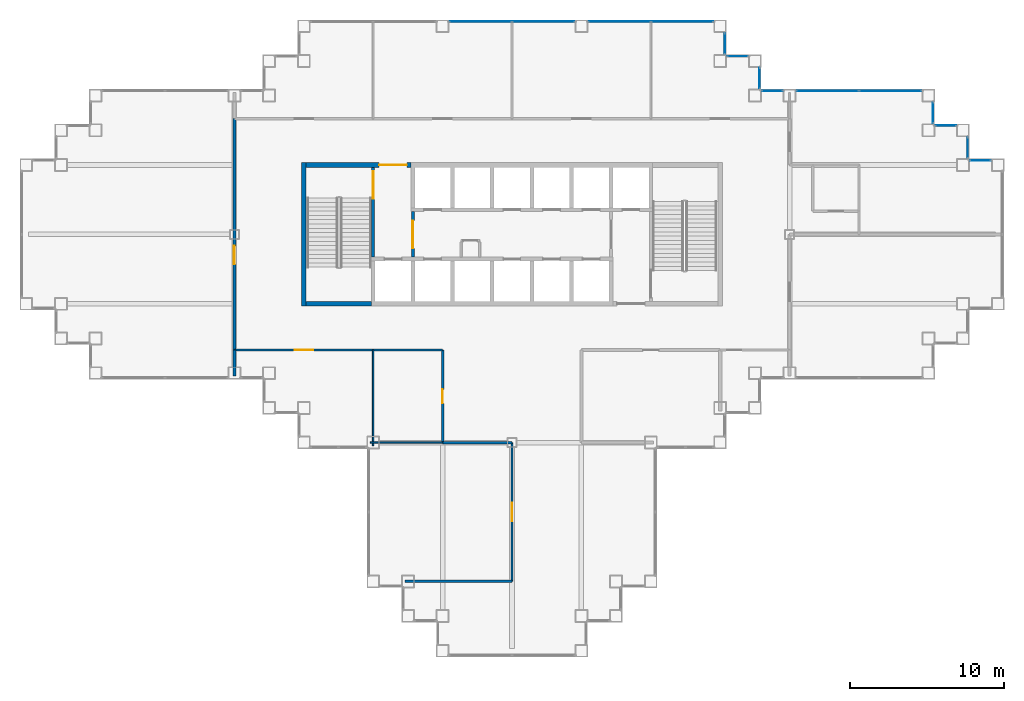
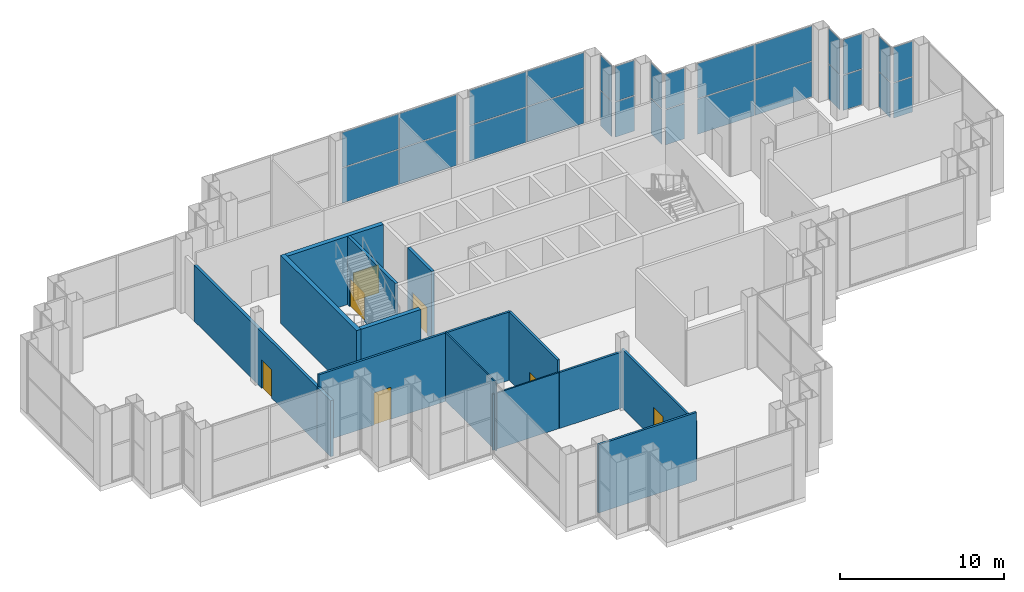
# One storey, part 11 of 18: 28 plates, 15 walls, 7 doors, 7 openings, 11 elements without a shape of their own.
"""IFC4 building model written with IfcOpenShell, lengths in metres."""

from ifc_helpers import new_model, si_unit, direction, frame, frame_2d, origin, origin_2d, place, context, subcontext, project, spatial, rectangle, extrude, material, layer, layer_set, type_object, element, fill, aggregate, save


model = new_model("IFC4")

# Units and contexts
model_context = context("Model", 3, precision=1e-05, world=origin(), true_north=direction((0.0, 1.0)))
body_context = subcontext(model_context, "Body", "Model", "MODEL_VIEW")
ifc_project = project(units=[si_unit("LENGTHUNIT", "METRE"), si_unit("AREAUNIT", "SQUARE_METRE"), si_unit("VOLUMEUNIT", "CUBIC_METRE"), si_unit("PLANEANGLEUNIT", "RADIAN"), si_unit("MASSUNIT", "GRAM", prefix="KILO")], contexts=[model_context])

# Site, building, storey
site_placement = place(None, origin())
site = spatial("IfcSite", under=ifc_project, at=site_placement, CompositionType="ELEMENT")
building_placement = place(site_placement, origin())
building = spatial("IfcBuilding", under=site, at=building_placement, Name="Caravel Reach Hotel and Residences", CompositionType="ELEMENT")
storey_placement = place(building_placement, frame((0.0, 0.0, 145.199951171875)))
storey = spatial("IfcBuildingStorey", under=building, at=storey_placement, Name="L36", CompositionType="ELEMENT", Elevation=145.199951171875)

# Curtain wall, plates
ifc_material_1 = material(Name="Dark low-e glazing in black aluminium frame", Category="aluminium")
ifc_layer_1 = layer(ifc_material_1, 0.199951171875)
ifc_layer_set_1 = layer_set([ifc_layer_1], Name="CW2 Sky lobby glazing")
curtain_wall_type = type_object("IfcCurtainWallType", Name="CW2 Sky lobby glazing", PredefinedType="NOTDEFINED", material=ifc_layer_set_1)
curtain_wall_1_placement = place(storey_placement, origin())
curtain_wall_1 = element("IfcCurtainWall", 1, at=curtain_wall_1_placement, inside=storey, type_object=curtain_wall_type, Name="Sky lobby glazing b0", PredefinedType="NOTDEFINED")
ifc_material_2 = material(Name="Dark laminated low-e glass", Category="glass")
ifc_layer_2 = layer(ifc_material_2, 0.028076171875)
ifc_layer_set_2 = layer_set([ifc_layer_2], Name="CW glass panel 28")
plate_type = type_object("IfcPlateType", Name="CW glass panel 28", PredefinedType="CURTAIN_PANEL", material=ifc_layer_set_2)
plate_1_placement = place(storey_placement, frame((61.875, 31.800048828125, 0.06005859375), z_axis=(0.0, 0.0, 1.0), x_axis=(-1.0, 0.0, 0.0)))
plate_1 = element("IfcPlate", 2, at=plate_1_placement, type_object=plate_type, Name="CW2 panel 1.1", PredefinedType="CURTAIN_PANEL", context=body_context, shape_type="SweptSolid", body=[
    extrude(rectangle(XDim=1.330078125, YDim=0.028076171875, at=origin_2d()), origin(), (0.0, 0.0, 1.0), 2.610107421875),
])
plate_2_placement = place(storey_placement, frame((61.875, 31.800048828125, 2.72998046875), z_axis=(0.0, 0.0, 1.0), x_axis=(-1.0, 0.0, 0.0)))
plate_2 = element("IfcPlate", 3, at=plate_2_placement, type_object=plate_type, Name="CW2 panel 1.2", PredefinedType="CURTAIN_PANEL", context=body_context, shape_type="SweptSolid", body=[
    extrude(rectangle(XDim=1.330078125, YDim=0.028076171875, at=origin_2d()), origin(), (0.0, 0.0, 1.0), 2.610107421875),
])
aggregate(curtain_wall_1, [plate_1, plate_2])

curtain_wall_2_placement = place(storey_placement, origin())
curtain_wall_2 = element("IfcCurtainWall", 4, at=curtain_wall_2_placement, inside=storey, type_object=curtain_wall_type, Name="Sky lobby glazing b0", PredefinedType="NOTDEFINED")
plate_3_placement = place(storey_placement, frame((61.050048828125, 32.625, 0.06005859375), z_axis=(0.0, 0.0, 1.0), x_axis=(0.0, 1.0, 0.0)))
plate_3 = element("IfcPlate", 5, at=plate_3_placement, type_object=plate_type, Name="CW2 panel 1.1", PredefinedType="CURTAIN_PANEL", context=body_context, shape_type="SweptSolid", body=[
    extrude(rectangle(XDim=1.330078125, YDim=0.028076171875, at=origin_2d()), origin(), (0.0, 0.0, 1.0), 2.610107421875),
])
plate_4_placement = place(storey_placement, frame((61.050048828125, 32.625, 2.72998046875), z_axis=(0.0, 0.0, 1.0), x_axis=(0.0, 1.0, 0.0)))
plate_4 = element("IfcPlate", 6, at=plate_4_placement, type_object=plate_type, Name="CW2 panel 1.2", PredefinedType="CURTAIN_PANEL", context=body_context, shape_type="SweptSolid", body=[
    extrude(rectangle(XDim=1.330078125, YDim=0.028076171875, at=origin_2d()), origin(), (0.0, 0.0, 1.0), 2.610107421875),
])
aggregate(curtain_wall_2, [plate_3, plate_4])

curtain_wall_3_placement = place(storey_placement, origin())
curtain_wall_3 = element("IfcCurtainWall", 7, at=curtain_wall_3_placement, inside=storey, type_object=curtain_wall_type, Name="Sky lobby glazing b0", PredefinedType="NOTDEFINED")
plate_5_placement = place(storey_placement, frame((59.625, 34.050048828125, 0.06005859375), z_axis=(0.0, 0.0, 1.0), x_axis=(-1.0, 0.0, 0.0)))
plate_5 = element("IfcPlate", 8, at=plate_5_placement, type_object=plate_type, Name="CW2 panel 1.1", PredefinedType="CURTAIN_PANEL", context=body_context, shape_type="SweptSolid", body=[
    extrude(rectangle(XDim=1.330078125, YDim=0.028076171875, at=origin_2d()), origin(), (0.0, 0.0, 1.0), 2.610107421875),
])
plate_6_placement = place(storey_placement, frame((59.625, 34.050048828125, 2.72998046875), z_axis=(0.0, 0.0, 1.0), x_axis=(-1.0, 0.0, 0.0)))
plate_6 = element("IfcPlate", 9, at=plate_6_placement, type_object=plate_type, Name="CW2 panel 1.2", PredefinedType="CURTAIN_PANEL", context=body_context, shape_type="SweptSolid", body=[
    extrude(rectangle(XDim=1.330078125, YDim=0.028076171875, at=origin_2d()), origin(), (0.0, 0.0, 1.0), 2.610107421875),
])
aggregate(curtain_wall_3, [plate_5, plate_6])

curtain_wall_4_placement = place(storey_placement, origin())
curtain_wall_4 = element("IfcCurtainWall", 10, at=curtain_wall_4_placement, inside=storey, type_object=curtain_wall_type, Name="Sky lobby glazing b0", PredefinedType="NOTDEFINED")
plate_7_placement = place(storey_placement, frame((58.800048828125, 34.875, 0.06005859375), z_axis=(0.0, 0.0, 1.0), x_axis=(0.0, 1.0, 0.0)))
plate_7 = element("IfcPlate", 11, at=plate_7_placement, type_object=plate_type, Name="CW2 panel 1.1", PredefinedType="CURTAIN_PANEL", context=body_context, shape_type="SweptSolid", body=[
    extrude(rectangle(XDim=1.330078125, YDim=0.028076171875, at=origin_2d()), origin(), (0.0, 0.0, 1.0), 2.610107421875),
])
plate_8_placement = place(storey_placement, frame((58.800048828125, 34.875, 2.72998046875), z_axis=(0.0, 0.0, 1.0), x_axis=(0.0, 1.0, 0.0)))
plate_8 = element("IfcPlate", 12, at=plate_8_placement, type_object=plate_type, Name="CW2 panel 1.2", PredefinedType="CURTAIN_PANEL", context=body_context, shape_type="SweptSolid", body=[
    extrude(rectangle(XDim=1.330078125, YDim=0.028076171875, at=origin_2d()), origin(), (0.0, 0.0, 1.0), 2.610107421875),
])
aggregate(curtain_wall_4, [plate_7, plate_8])

curtain_wall_5_placement = place(storey_placement, origin())
curtain_wall_5 = element("IfcCurtainWall", 13, at=curtain_wall_5_placement, inside=storey, type_object=curtain_wall_type, Name="Sky lobby glazing b0", PredefinedType="NOTDEFINED")
plate_9_placement = place(storey_placement, frame((56.034912109375, 36.300048828125, 0.06005859375), z_axis=(0.0, 0.0, 1.0), x_axis=(-1.0, 0.0, 0.0)))
plate_9 = element("IfcPlate", 14, at=plate_9_placement, type_object=plate_type, Name="CW2 panel 1.1", PredefinedType="CURTAIN_PANEL", context=body_context, shape_type="SweptSolid", body=[
    extrude(rectangle(XDim=4.010009765625, YDim=0.028076171875, at=origin_2d()), origin(), (0.0, 0.0, 1.0), 2.610107421875),
])
plate_10_placement = place(storey_placement, frame((56.034912109375, 36.300048828125, 2.72998046875), z_axis=(0.0, 0.0, 1.0), x_axis=(-1.0, 0.0, 0.0)))
plate_10 = element("IfcPlate", 15, at=plate_10_placement, type_object=plate_type, Name="CW2 panel 1.2", PredefinedType="CURTAIN_PANEL", context=body_context, shape_type="SweptSolid", body=[
    extrude(rectangle(XDim=4.010009765625, YDim=0.028076171875, at=origin_2d()), origin(), (0.0, 0.0, 1.0), 2.610107421875),
])
plate_11_placement = place(storey_placement, frame((51.965087890625, 36.300048828125, 0.06005859375), z_axis=(0.0, 0.0, 1.0), x_axis=(-1.0, 0.0, 0.0)))
plate_11 = element("IfcPlate", 16, at=plate_11_placement, type_object=plate_type, Name="CW2 panel 2.1", PredefinedType="CURTAIN_PANEL", context=body_context, shape_type="SweptSolid", body=[
    extrude(rectangle(XDim=4.010009765625, YDim=0.028076171875, at=origin_2d()), origin(), (0.0, 0.0, 1.0), 2.610107421875),
])
plate_12_placement = place(storey_placement, frame((51.965087890625, 36.300048828125, 2.72998046875), z_axis=(0.0, 0.0, 1.0), x_axis=(-1.0, 0.0, 0.0)))
plate_12 = element("IfcPlate", 17, at=plate_12_placement, type_object=plate_type, Name="CW2 panel 2.2", PredefinedType="CURTAIN_PANEL", context=body_context, shape_type="SweptSolid", body=[
    extrude(rectangle(XDim=4.010009765625, YDim=0.028076171875, at=origin_2d()), origin(), (0.0, 0.0, 1.0), 2.610107421875),
])
aggregate(curtain_wall_5, [plate_9, plate_10, plate_11, plate_12])

curtain_wall_6_placement = place(storey_placement, origin())
curtain_wall_6 = element("IfcCurtainWall", 18, at=curtain_wall_6_placement, inside=storey, type_object=curtain_wall_type, Name="Sky lobby glazing b1", PredefinedType="NOTDEFINED")
plate_13_placement = place(storey_placement, frame((48.375, 36.300048828125, 0.06005859375), z_axis=(0.0, 0.0, 1.0), x_axis=(-1.0, 0.0, 0.0)))
plate_13 = element("IfcPlate", 19, at=plate_13_placement, type_object=plate_type, Name="CW2 panel 1.1", PredefinedType="CURTAIN_PANEL", context=body_context, shape_type="SweptSolid", body=[
    extrude(rectangle(XDim=1.330078125, YDim=0.028076171875, at=origin_2d()), origin(), (0.0, 0.0, 1.0), 2.610107421875),
])
plate_14_placement = place(storey_placement, frame((48.375, 36.300048828125, 2.72998046875), z_axis=(0.0, 0.0, 1.0), x_axis=(-1.0, 0.0, 0.0)))
plate_14 = element("IfcPlate", 20, at=plate_14_placement, type_object=plate_type, Name="CW2 panel 1.2", PredefinedType="CURTAIN_PANEL", context=body_context, shape_type="SweptSolid", body=[
    extrude(rectangle(XDim=1.330078125, YDim=0.028076171875, at=origin_2d()), origin(), (0.0, 0.0, 1.0), 2.610107421875),
])
aggregate(curtain_wall_6, [plate_13, plate_14])

curtain_wall_7_placement = place(storey_placement, origin())
curtain_wall_7 = element("IfcCurtainWall", 21, at=curtain_wall_7_placement, inside=storey, type_object=curtain_wall_type, Name="Sky lobby glazing b0", PredefinedType="NOTDEFINED")
plate_15_placement = place(storey_placement, frame((47.550048828125, 37.125, 0.06005859375), z_axis=(0.0, 0.0, 1.0), x_axis=(0.0, 1.0, 0.0)))
plate_15 = element("IfcPlate", 22, at=plate_15_placement, type_object=plate_type, Name="CW2 panel 1.1", PredefinedType="CURTAIN_PANEL", context=body_context, shape_type="SweptSolid", body=[
    extrude(rectangle(XDim=1.330078125, YDim=0.028076171875, at=origin_2d()), origin(), (0.0, 0.0, 1.0), 2.610107421875),
])
plate_16_placement = place(storey_placement, frame((47.550048828125, 37.125, 2.72998046875), z_axis=(0.0, 0.0, 1.0), x_axis=(0.0, 1.0, 0.0)))
plate_16 = element("IfcPlate", 23, at=plate_16_placement, type_object=plate_type, Name="CW2 panel 1.2", PredefinedType="CURTAIN_PANEL", context=body_context, shape_type="SweptSolid", body=[
    extrude(rectangle(XDim=1.330078125, YDim=0.028076171875, at=origin_2d()), origin(), (0.0, 0.0, 1.0), 2.610107421875),
])
aggregate(curtain_wall_7, [plate_15, plate_16])

curtain_wall_8_placement = place(storey_placement, origin())
curtain_wall_8 = element("IfcCurtainWall", 24, at=curtain_wall_8_placement, inside=storey, type_object=curtain_wall_type, Name="Sky lobby glazing b0", PredefinedType="NOTDEFINED")
plate_17_placement = place(storey_placement, frame((46.125, 38.550048828125, 0.06005859375), z_axis=(0.0, 0.0, 1.0), x_axis=(-1.0, 0.0, 0.0)))
plate_17 = element("IfcPlate", 25, at=plate_17_placement, type_object=plate_type, Name="CW2 panel 1.1", PredefinedType="CURTAIN_PANEL", context=body_context, shape_type="SweptSolid", body=[
    extrude(rectangle(XDim=1.330078125, YDim=0.028076171875, at=origin_2d()), origin(), (0.0, 0.0, 1.0), 2.610107421875),
])
plate_18_placement = place(storey_placement, frame((46.125, 38.550048828125, 2.72998046875), z_axis=(0.0, 0.0, 1.0), x_axis=(-1.0, 0.0, 0.0)))
plate_18 = element("IfcPlate", 26, at=plate_18_placement, type_object=plate_type, Name="CW2 panel 1.2", PredefinedType="CURTAIN_PANEL", context=body_context, shape_type="SweptSolid", body=[
    extrude(rectangle(XDim=1.330078125, YDim=0.028076171875, at=origin_2d()), origin(), (0.0, 0.0, 1.0), 2.610107421875),
])
aggregate(curtain_wall_8, [plate_17, plate_18])

curtain_wall_9_placement = place(storey_placement, origin())
curtain_wall_9 = element("IfcCurtainWall", 27, at=curtain_wall_9_placement, inside=storey, type_object=curtain_wall_type, Name="Sky lobby glazing b0", PredefinedType="NOTDEFINED")
plate_19_placement = place(storey_placement, frame((45.300048828125, 39.375, 0.06005859375), z_axis=(0.0, 0.0, 1.0), x_axis=(0.0, 1.0, 0.0)))
plate_19 = element("IfcPlate", 28, at=plate_19_placement, type_object=plate_type, Name="CW2 panel 1.1", PredefinedType="CURTAIN_PANEL", context=body_context, shape_type="SweptSolid", body=[
    extrude(rectangle(XDim=1.330078125, YDim=0.028076171875, at=origin_2d()), origin(), (0.0, 0.0, 1.0), 2.610107421875),
])
plate_20_placement = place(storey_placement, frame((45.300048828125, 39.375, 2.72998046875), z_axis=(0.0, 0.0, 1.0), x_axis=(0.0, 1.0, 0.0)))
plate_20 = element("IfcPlate", 29, at=plate_20_placement, type_object=plate_type, Name="CW2 panel 1.2", PredefinedType="CURTAIN_PANEL", context=body_context, shape_type="SweptSolid", body=[
    extrude(rectangle(XDim=1.330078125, YDim=0.028076171875, at=origin_2d()), origin(), (0.0, 0.0, 1.0), 2.610107421875),
])
aggregate(curtain_wall_9, [plate_19, plate_20])

curtain_wall_10_placement = place(storey_placement, origin())
curtain_wall_10 = element("IfcCurtainWall", 30, at=curtain_wall_10_placement, inside=storey, type_object=curtain_wall_type, Name="Sky lobby glazing b0", PredefinedType="NOTDEFINED")
plate_21_placement = place(storey_placement, frame((42.534912109375, 40.800048828125, 0.06005859375), z_axis=(0.0, 0.0, 1.0), x_axis=(-1.0, 0.0, 0.0)))
plate_21 = element("IfcPlate", 31, at=plate_21_placement, type_object=plate_type, Name="CW2 panel 1.1", PredefinedType="CURTAIN_PANEL", context=body_context, shape_type="SweptSolid", body=[
    extrude(rectangle(XDim=4.010009765625, YDim=0.028076171875, at=origin_2d()), origin(), (0.0, 0.0, 1.0), 2.610107421875),
])
plate_22_placement = place(storey_placement, frame((42.534912109375, 40.800048828125, 2.72998046875), z_axis=(0.0, 0.0, 1.0), x_axis=(-1.0, 0.0, 0.0)))
plate_22 = element("IfcPlate", 32, at=plate_22_placement, type_object=plate_type, Name="CW2 panel 1.2", PredefinedType="CURTAIN_PANEL", context=body_context, shape_type="SweptSolid", body=[
    extrude(rectangle(XDim=4.010009765625, YDim=0.028076171875, at=origin_2d()), origin(), (0.0, 0.0, 1.0), 2.610107421875),
])
plate_23_placement = place(storey_placement, frame((38.465087890625, 40.800048828125, 0.06005859375), z_axis=(0.0, 0.0, 1.0), x_axis=(-1.0, 0.0, 0.0)))
plate_23 = element("IfcPlate", 33, at=plate_23_placement, type_object=plate_type, Name="CW2 panel 2.1", PredefinedType="CURTAIN_PANEL", context=body_context, shape_type="SweptSolid", body=[
    extrude(rectangle(XDim=4.010009765625, YDim=0.028076171875, at=origin_2d()), origin(), (0.0, 0.0, 1.0), 2.610107421875),
])
plate_24_placement = place(storey_placement, frame((38.465087890625, 40.800048828125, 2.72998046875), z_axis=(0.0, 0.0, 1.0), x_axis=(-1.0, 0.0, 0.0)))
plate_24 = element("IfcPlate", 34, at=plate_24_placement, type_object=plate_type, Name="CW2 panel 2.2", PredefinedType="CURTAIN_PANEL", context=body_context, shape_type="SweptSolid", body=[
    extrude(rectangle(XDim=4.010009765625, YDim=0.028076171875, at=origin_2d()), origin(), (0.0, 0.0, 1.0), 2.610107421875),
])
aggregate(curtain_wall_10, [plate_21, plate_22, plate_23, plate_24])

curtain_wall_11_placement = place(storey_placement, origin())
curtain_wall_11 = element("IfcCurtainWall", 35, at=curtain_wall_11_placement, inside=storey, type_object=curtain_wall_type, Name="Sky lobby glazing b1", PredefinedType="NOTDEFINED")
plate_25_placement = place(storey_placement, frame((33.534912109375, 40.800048828125, 0.06005859375), z_axis=(0.0, 0.0, 1.0), x_axis=(-1.0, 0.0, 0.0)))
plate_25 = element("IfcPlate", 36, at=plate_25_placement, type_object=plate_type, Name="CW2 panel 1.1", PredefinedType="CURTAIN_PANEL", context=body_context, shape_type="SweptSolid", body=[
    extrude(rectangle(XDim=4.010009765625, YDim=0.028076171875, at=origin_2d()), origin(), (0.0, 0.0, 1.0), 2.610107421875),
])
plate_26_placement = place(storey_placement, frame((33.534912109375, 40.800048828125, 2.72998046875), z_axis=(0.0, 0.0, 1.0), x_axis=(-1.0, 0.0, 0.0)))
plate_26 = element("IfcPlate", 37, at=plate_26_placement, type_object=plate_type, Name="CW2 panel 1.2", PredefinedType="CURTAIN_PANEL", context=body_context, shape_type="SweptSolid", body=[
    extrude(rectangle(XDim=4.010009765625, YDim=0.028076171875, at=origin_2d()), origin(), (0.0, 0.0, 1.0), 2.610107421875),
])
plate_27_placement = place(storey_placement, frame((29.465087890625, 40.800048828125, 0.06005859375), z_axis=(0.0, 0.0, 1.0), x_axis=(-1.0, 0.0, 0.0)))
plate_27 = element("IfcPlate", 38, at=plate_27_placement, type_object=plate_type, Name="CW2 panel 2.1", PredefinedType="CURTAIN_PANEL", context=body_context, shape_type="SweptSolid", body=[
    extrude(rectangle(XDim=4.010009765625, YDim=0.028076171875, at=origin_2d()), origin(), (0.0, 0.0, 1.0), 2.610107421875),
])
plate_28_placement = place(storey_placement, frame((29.465087890625, 40.800048828125, 2.72998046875), z_axis=(0.0, 0.0, 1.0), x_axis=(-1.0, 0.0, 0.0)))
plate_28 = element("IfcPlate", 39, at=plate_28_placement, type_object=plate_type, Name="CW2 panel 2.2", PredefinedType="CURTAIN_PANEL", context=body_context, shape_type="SweptSolid", body=[
    extrude(rectangle(XDim=4.010009765625, YDim=0.028076171875, at=origin_2d()), origin(), (0.0, 0.0, 1.0), 2.610107421875),
])
aggregate(curtain_wall_11, [plate_25, plate_26, plate_27, plate_28])

# Wall
ifc_material_3 = material(Name="Autoclaved aerated block wall")
ifc_layer_3 = layer(ifc_material_3, 0.199951171875)
ifc_layer_set_3 = layer_set([ifc_layer_3], Name="Compartment wall 200 mm EI 120")
wall_type_1 = type_object("IfcWallType", Name="Compartment wall 200 mm EI 120", PredefinedType="PARTITIONING", material=ifc_layer_set_3)
wall_1_placement = place(storey_placement, frame((13.5, 17.81005859375, 0.0), z_axis=(0.0, 0.0, 1.0), x_axis=(0.0, 1.0, 0.0)))
element("IfcWall", 40, at=wall_1_placement, inside=storey, type_object=wall_type_1, Name="L36 wall w029", PredefinedType="PARTITIONING", context=body_context, shape_type="SweptSolid", body=[
    extrude(rectangle(XDim=1.68994140625, YDim=0.199951171875, at=frame_2d((0.844970703125, 0.0))), origin(), (0.0, 0.0, 1.0), 4.179931640625),
])

# Wall, opening, door
wall_2_placement = place(storey_placement, frame((13.5, 19.5, 0.0), z_axis=(0.0, 0.0, 1.0), x_axis=(0.0, 1.0, 0.0)))
wall_2 = element("IfcWall", 41, at=wall_2_placement, inside=storey, type_object=wall_type_1, Name="L36 wall w031", PredefinedType="PARTITIONING", context=body_context, shape_type="SweptSolid", body=[
    extrude(rectangle(XDim=15.0, YDim=0.199951171875, at=frame_2d((7.5, 0.0))), origin(), (0.0, 0.0, 1.0), 4.179931640625),
])
opening_1_placement = place(wall_2_placement, frame((5.550048828125, 0.0, 0.0)))
opening_1 = element("IfcOpeningElement", 42, at=opening_1_placement, cuts=wall_2, Name="Opening D36-027", PredefinedType="OPENING", context=body_context, shape_type="SweptSolid", body=[
    extrude(rectangle(XDim=1.199951171875, YDim=2.10009765625, at=frame_2d((0.60009765625, 1.050048828125))), frame((0.0, 0.10986328125, 0.0), z_axis=(0.0, -1.0, 0.0), x_axis=(1.0, 0.0, 0.0)), (0.0, 0.0, 1.0), 0.219970703125),
])
ifc_material_4 = material(Name="Steel fire door leaf", Category="steel")
door_type_1 = type_object("IfcDoorType", Name="Plant room door 1200 x 2100 EI 60", OperationType="SINGLE_SWING_LEFT", PredefinedType="DOOR", material=ifc_material_4)
door_1_placement = place(opening_1_placement, origin())
door_1 = element("IfcDoor", 43, at=door_1_placement, inside=storey, type_object=door_type_1, Name="door D36-027", OperationType="SINGLE_SWING_LEFT", OverallHeight=2.10009765625, OverallWidth=1.199951171875, PredefinedType="DOOR", context=body_context, shape_type="SweptSolid", body=[
    extrude(rectangle(XDim=1.199951171875, YDim=2.10009765625, at=frame_2d((0.60009765625, 1.050048828125))), frame((0.0, 0.02490234375, 0.0), z_axis=(0.0, -1.0, 0.0), x_axis=(1.0, 0.0, 0.0)), (0.0, 0.0, 1.0), 0.050048828125),
])
fill(opening_1, door_1)

# Wall
ifc_material_5 = material(Name="Concrete C60", Category="concrete")
ifc_layer_4 = layer(ifc_material_5, 0.300048828125)
ifc_layer_set_4 = layer_set([ifc_layer_4], Name="Core wall 300 mm EI 120")
wall_type_2 = type_object("IfcWallType", Name="Core wall 300 mm EI 120", PredefinedType="SHEAR", material=ifc_layer_set_4)
wall_3_placement = place(storey_placement, frame((18.14990234375, 22.5, 0.0), z_axis=(0.0, 0.0, 1.0), x_axis=(1.0, 0.0, 0.0)))
element("IfcWall", 44, at=wall_3_placement, inside=storey, type_object=wall_type_2, Name="L36 core wall S1", PredefinedType="SHEAR", context=body_context, shape_type="SweptSolid", body=[
    extrude(rectangle(XDim=4.22509765625, YDim=0.300048828125, at=frame_2d((2.112548828125, 0.0))), origin(), (0.0, 0.0, 1.0), 5.10009765625),
])

# Wall, opening, door
wall_4_placement = place(storey_placement, frame((18.14990234375, 31.5, 0.0), z_axis=(0.0, 0.0, 1.0), x_axis=(1.0, 0.0, 0.0)))
wall_4 = element("IfcWall", 45, at=wall_4_placement, inside=storey, type_object=wall_type_2, Name="L36 core wall N1", PredefinedType="SHEAR", context=body_context, shape_type="SweptSolid", body=[
    extrude(rectangle(XDim=6.796630859375, YDim=0.300048828125, at=frame_2d((3.3984375, 0.0))), origin(), (0.0, 0.0, 1.0), 5.10009765625),
])
opening_2_placement = place(wall_4_placement, frame((4.735595703125, 0.0, 0.0)))
opening_2 = element("IfcOpeningElement", 46, at=opening_2_placement, cuts=wall_4, Name="Opening D36-016", PredefinedType="OPENING", context=body_context, shape_type="SweptSolid", body=[
    extrude(rectangle(XDim=1.800048828125, YDim=2.10009765625, at=frame_2d((0.89990234375, 1.050048828125))), frame((0.0, 0.159912109375, 0.0), z_axis=(0.0, -1.0, 0.0), x_axis=(1.0, 0.0, 0.0)), (0.0, 0.0, 1.0), 0.320068359375),
])
ifc_material_6 = material(Name="Steel fire door leaf", Category="steel")
door_type_2 = type_object("IfcDoorType", Name="Fire lobby door pair 1800 x 2100 EI 90", OperationType="DOUBLE_DOOR_SINGLE_SWING", PredefinedType="DOOR", material=ifc_material_6)
door_2_placement = place(opening_2_placement, origin())
door_2 = element("IfcDoor", 47, at=door_2_placement, inside=storey, type_object=door_type_2, Name="lobby N door pair to corridor", OperationType="DOUBLE_DOOR_SINGLE_SWING", OverallHeight=2.10009765625, OverallWidth=1.800048828125, PredefinedType="DOOR", context=body_context, shape_type="SweptSolid", body=[
    extrude(rectangle(XDim=1.800048828125, YDim=2.10009765625, at=frame_2d((0.89990234375, 1.050048828125))), frame((0.0, 0.02490234375, 0.0), z_axis=(0.0, -1.0, 0.0), x_axis=(1.0, 0.0, 0.0)), (0.0, 0.0, 1.0), 0.050048828125),
])
fill(opening_2, door_2)

# Walls
wall_5_placement = place(storey_placement, frame((18.0, 22.35009765625, 0.0), z_axis=(0.0, 0.0, 1.0), x_axis=(0.0, 1.0, 0.0)))
element("IfcWall", 48, at=wall_5_placement, inside=storey, type_object=wall_type_2, Name="L36 core wall W", PredefinedType="SHEAR", context=body_context, shape_type="SweptSolid", body=[
    extrude(rectangle(XDim=9.2998046875, YDim=0.300048828125, at=frame_2d((4.64990234375, 0.0))), origin(), (0.0, 0.0, 1.0), 5.10009765625),
])
ifc_material_7 = material(Name="Gypsum board on steel stud, fire-rated", Category="steel")
ifc_layer_5 = layer(ifc_material_7, 0.14990234375)
ifc_layer_set_5 = layer_set([ifc_layer_5], Name="Corridor wall 150 mm EI 60")
wall_type_3 = type_object("IfcWallType", Name="Corridor wall 150 mm EI 60", PredefinedType="PARTITIONING", material=ifc_layer_set_5)
wall_6_placement = place(storey_placement, frame((27.0, 13.5, 0.0), z_axis=(0.0, 0.0, 1.0), x_axis=(1.0, 0.0, 0.0)))
element("IfcWall", 49, at=wall_6_placement, inside=storey, type_object=wall_type_3, Name="L36 wall w001", PredefinedType="PARTITIONING", context=body_context, shape_type="SweptSolid", body=[
    extrude(rectangle(XDim=4.5, YDim=0.14990234375, at=frame_2d((2.25, 0.0))), origin(), (0.0, 0.0, 1.0), 4.179931640625),
])

# Wall, opening, door
wall_7_placement = place(storey_placement, frame((13.5, 19.5, 0.0), z_axis=(0.0, 0.0, 1.0), x_axis=(1.0, 0.0, 0.0)))
wall_7 = element("IfcWall", 50, at=wall_7_placement, inside=storey, type_object=wall_type_3, Name="L36 wall w002", PredefinedType="PARTITIONING", context=body_context, shape_type="SweptSolid", body=[
    extrude(rectangle(XDim=9.0, YDim=0.14990234375, at=frame_2d((4.5, 0.0))), origin(), (0.0, 0.0, 1.0), 5.10009765625),
])
opening_3_placement = place(wall_7_placement, frame((3.89990234375, 0.0, 0.0)))
opening_3 = element("IfcOpeningElement", 51, at=opening_3_placement, cuts=wall_7, Name="Opening D36-018", PredefinedType="OPENING", context=body_context, shape_type="SweptSolid", body=[
    extrude(rectangle(XDim=1.199951171875, YDim=2.39990234375, at=frame_2d((0.60009765625, 1.199951171875))), frame((0.0, 0.0849609375, 0.0), z_axis=(0.0, -1.0, 0.0), x_axis=(1.0, 0.0, 0.0)), (0.0, 0.0, 1.0), 0.169921875),
])
ifc_material_8 = material(Name="Timber and steel door leaf", Category="steel")
door_type_3 = type_object("IfcDoorType", Name="Glazed door 1200 x 2400", OperationType="SINGLE_SWING_LEFT", PredefinedType="DOOR", material=ifc_material_8)
door_3_placement = place(opening_3_placement, origin())
door_3 = element("IfcDoor", 52, at=door_3_placement, inside=storey, type_object=door_type_3, Name="door D36-018", OperationType="SINGLE_SWING_LEFT", OverallHeight=2.39990234375, OverallWidth=1.199951171875, PredefinedType="DOOR", context=body_context, shape_type="SweptSolid", body=[
    extrude(rectangle(XDim=1.199951171875, YDim=2.39990234375, at=frame_2d((0.60009765625, 1.199951171875))), frame((0.0, 0.02490234375, 0.0), z_axis=(0.0, -1.0, 0.0), x_axis=(1.0, 0.0, 0.0)), (0.0, 0.0, 1.0), 0.050048828125),
])
fill(opening_3, door_3)

# Walls
wall_8_placement = place(storey_placement, frame((22.5, 19.5, 0.0), z_axis=(0.0, 0.0, 1.0), x_axis=(1.0, 0.0, 0.0)))
element("IfcWall", 53, at=wall_8_placement, inside=storey, type_object=wall_type_3, Name="L36 wall w003", PredefinedType="PARTITIONING", context=body_context, shape_type="SweptSolid", body=[
    extrude(rectangle(XDim=4.5, YDim=0.14990234375, at=frame_2d((2.25, 0.0))), origin(), (0.0, 0.0, 1.0), 5.10009765625),
])
wall_9_placement = place(storey_placement, frame((24.56005859375, 4.5, 0.0), z_axis=(0.0, 0.0, 1.0), x_axis=(1.0, 0.0, 0.0)))
element("IfcWall", 54, at=wall_9_placement, inside=storey, type_object=wall_type_3, Name="L36 wall w011", PredefinedType="PARTITIONING", context=body_context, shape_type="SweptSolid", body=[
    extrude(rectangle(XDim=6.93994140625, YDim=0.14990234375, at=frame_2d((3.469970703125, 0.0))), origin(), (0.0, 0.0, 1.0), 5.10009765625),
])

# Wall, opening, door
wall_10_placement = place(storey_placement, frame((27.0, 13.5, 0.0), z_axis=(0.0, 0.0, 1.0), x_axis=(0.0, 1.0, 0.0)))
wall_10 = element("IfcWall", 55, at=wall_10_placement, inside=storey, type_object=wall_type_3, Name="L36 wall w012", PredefinedType="PARTITIONING", context=body_context, shape_type="SweptSolid", body=[
    extrude(rectangle(XDim=6.0, YDim=0.14990234375, at=frame_2d((3.0, 0.0))), origin(), (0.0, 0.0, 1.0), 5.10009765625),
])
opening_4_placement = place(wall_10_placement, frame((2.550048828125, 0.0, 0.0)))
opening_4 = element("IfcOpeningElement", 56, at=opening_4_placement, cuts=wall_10, Name="Opening D36-019", PredefinedType="OPENING", context=body_context, shape_type="SweptSolid", body=[
    extrude(rectangle(XDim=0.89990234375, YDim=2.10009765625, at=frame_2d((0.449951171875, 1.050048828125))), frame((0.0, 0.0849609375, 0.0), z_axis=(0.0, -1.0, 0.0), x_axis=(1.0, 0.0, 0.0)), (0.0, 0.0, 1.0), 0.169921875),
])
ifc_material_9 = material(Name="Timber and steel door leaf", Category="steel")
door_type_4 = type_object("IfcDoorType", Name="Door 900 x 2100 timber", OperationType="SINGLE_SWING_LEFT", PredefinedType="DOOR", material=ifc_material_9)
door_4_placement = place(opening_4_placement, origin())
door_4 = element("IfcDoor", 57, at=door_4_placement, inside=storey, type_object=door_type_4, Name="door D36-019", OperationType="SINGLE_SWING_LEFT", OverallHeight=2.10009765625, OverallWidth=0.89990234375, PredefinedType="DOOR", context=body_context, shape_type="SweptSolid", body=[
    extrude(rectangle(XDim=0.89990234375, YDim=2.10009765625, at=frame_2d((0.449951171875, 1.050048828125))), frame((0.0, 0.02490234375, 0.0), z_axis=(0.0, -1.0, 0.0), x_axis=(1.0, 0.0, 0.0)), (0.0, 0.0, 1.0), 0.050048828125),
])
fill(opening_4, door_4)

wall_11_placement = place(storey_placement, frame((31.5, 4.5, 0.0), z_axis=(0.0, 0.0, 1.0), x_axis=(0.0, 1.0, 0.0)))
wall_11 = element("IfcWall", 58, at=wall_11_placement, inside=storey, type_object=wall_type_3, Name="L36 wall w013", PredefinedType="PARTITIONING", context=body_context, shape_type="SweptSolid", body=[
    extrude(rectangle(XDim=9.0, YDim=0.14990234375, at=frame_2d((4.5, 0.0))), origin(), (0.0, 0.0, 1.0), 4.380126953125),
])
opening_5_placement = place(wall_11_placement, frame((3.89990234375, 0.0, 0.0)))
opening_5 = element("IfcOpeningElement", 59, at=opening_5_placement, cuts=wall_11, Name="Opening D36-026", PredefinedType="OPENING", context=body_context, shape_type="SweptSolid", body=[
    extrude(rectangle(XDim=1.199951171875, YDim=2.39990234375, at=frame_2d((0.60009765625, 1.199951171875))), frame((0.0, 0.0849609375, 0.0), z_axis=(0.0, -1.0, 0.0), x_axis=(1.0, 0.0, 0.0)), (0.0, 0.0, 1.0), 0.169921875),
])
door_5_placement = place(opening_5_placement, origin())
door_5 = element("IfcDoor", 60, at=door_5_placement, inside=storey, type_object=door_type_3, Name="door D36-026", OperationType="SINGLE_SWING_LEFT", OverallHeight=2.39990234375, OverallWidth=1.199951171875, PredefinedType="DOOR", context=body_context, shape_type="SweptSolid", body=[
    extrude(rectangle(XDim=1.199951171875, YDim=2.39990234375, at=frame_2d((0.60009765625, 1.199951171875))), frame((0.0, 0.02490234375, 0.0), z_axis=(0.0, -1.0, 0.0), x_axis=(1.0, 0.0, 0.0)), (0.0, 0.0, 1.0), 0.050048828125),
])
fill(opening_5, door_5)

ifc_material_10 = material(Name="Autoclaved aerated block wall")
ifc_layer_6 = layer(ifc_material_10, 0.199951171875)
ifc_layer_set_6 = layer_set([ifc_layer_6], Name="Fire lobby wall 200 mm EI 120")
wall_type_4 = type_object("IfcWallType", Name="Fire lobby wall 200 mm EI 120", PredefinedType="PARTITIONING", material=ifc_layer_set_6)
wall_12_placement = place(storey_placement, frame((25.071533203125, 25.52490234375, 0.0), z_axis=(0.0, 0.0, 1.0), x_axis=(0.0, 1.0, 0.0)))
wall_12 = element("IfcWall", 61, at=wall_12_placement, inside=storey, type_object=wall_type_4, Name="L36 lobby W wall", PredefinedType="PARTITIONING", context=body_context, shape_type="SweptSolid", body=[
    extrude(rectangle(XDim=2.9501953125, YDim=0.199951171875, at=frame_2d((1.47509765625, 0.0))), origin(), (0.0, 0.0, 1.0), 5.10009765625),
])
opening_6_placement = place(wall_12_placement, frame((0.574951171875, 0.0, 0.0)))
opening_6 = element("IfcOpeningElement", 62, at=opening_6_placement, cuts=wall_12, Name="Opening D36-014", PredefinedType="OPENING", context=body_context, shape_type="SweptSolid", body=[
    extrude(rectangle(XDim=1.800048828125, YDim=2.10009765625, at=frame_2d((0.89990234375, 1.050048828125))), frame((0.0, 0.10986328125, 0.0), z_axis=(0.0, -1.0, 0.0), x_axis=(1.0, 0.0, 0.0)), (0.0, 0.0, 1.0), 0.219970703125),
])
door_6_placement = place(opening_6_placement, origin())
door_6 = element("IfcDoor", 63, at=door_6_placement, inside=storey, type_object=door_type_2, Name="lobby W door pair", OperationType="DOUBLE_DOOR_SINGLE_SWING", OverallHeight=2.10009765625, OverallWidth=1.800048828125, PredefinedType="DOOR", context=body_context, shape_type="SweptSolid", body=[
    extrude(rectangle(XDim=1.800048828125, YDim=2.10009765625, at=frame_2d((0.89990234375, 1.050048828125))), frame((0.0, 0.02490234375, 0.0), z_axis=(0.0, -1.0, 0.0), x_axis=(1.0, 0.0, 0.0)), (0.0, 0.0, 1.0), 0.050048828125),
])
fill(opening_6, door_6)

# Walls
ifc_material_11 = material(Name="Gypsum board on steel stud", Category="steel")
ifc_layer_7 = layer(ifc_material_11, 0.10009765625)
ifc_layer_set_7 = layer_set([ifc_layer_7], Name="Partition 100 mm")
wall_type_5 = type_object("IfcWallType", Name="Partition 100 mm", PredefinedType="PARTITIONING", material=ifc_layer_set_7)
wall_13_placement = place(storey_placement, frame((22.31005859375, 13.5, 0.0), z_axis=(0.0, 0.0, 1.0), x_axis=(1.0, 0.0, 0.0)))
element("IfcWall", 64, at=wall_13_placement, inside=storey, type_object=wall_type_5, Name="L36 wall w017", PredefinedType="PARTITIONING", context=body_context, shape_type="SweptSolid", body=[
    extrude(rectangle(XDim=4.68994140625, YDim=0.10009765625, at=frame_2d((2.344970703125, 0.0))), origin(), (0.0, 0.0, 1.0), 4.179931640625),
])
wall_14_placement = place(storey_placement, frame((22.5, 13.31005859375, 0.0), z_axis=(0.0, 0.0, 1.0), x_axis=(0.0, 1.0, 0.0)))
element("IfcWall", 65, at=wall_14_placement, inside=storey, type_object=wall_type_5, Name="L36 wall w019", PredefinedType="PARTITIONING", context=body_context, shape_type="SweptSolid", body=[
    extrude(rectangle(XDim=6.18994140625, YDim=0.10009765625, at=frame_2d((3.094970703125, 0.0))), origin(), (0.0, 0.0, 1.0), 5.10009765625),
])

# Wall, opening, door
ifc_material_12 = material(Name="Concrete C60", Category="concrete")
ifc_layer_8 = layer(ifc_material_12, 0.199951171875)
ifc_layer_set_8 = layer_set([ifc_layer_8], Name="Stair enclosure wall 200 mm EI 120")
wall_type_6 = type_object("IfcWallType", Name="Stair enclosure wall 200 mm EI 120", PredefinedType="SHEAR", material=ifc_layer_set_8)
wall_15_placement = place(storey_placement, frame((22.5, 31.35009765625, 0.0), z_axis=(0.0, 0.0, 1.0), x_axis=(0.0, -1.0, 0.0)))
wall_15 = element("IfcWall", 66, at=wall_15_placement, inside=storey, type_object=wall_type_6, Name="L36 stair A wall", PredefinedType="SHEAR", context=body_context, shape_type="SweptSolid", body=[
    extrude(rectangle(XDim=5.8251953125, YDim=0.199951171875, at=frame_2d((2.91259765625, 0.0))), origin(), (0.0, 0.0, 1.0), 5.10009765625),
])
opening_7_placement = place(wall_15_placement, frame((0.25, 0.0, 0.0)))
opening_7 = element("IfcOpeningElement", 67, at=opening_7_placement, cuts=wall_15, Name="Opening D36-012", PredefinedType="OPENING", context=body_context, shape_type="SweptSolid", body=[
    extrude(rectangle(XDim=1.800048828125, YDim=2.10009765625, at=frame_2d((0.89990234375, 1.050048828125))), frame((0.0, 0.10986328125, 0.0), z_axis=(0.0, -1.0, 0.0), x_axis=(1.0, 0.0, 0.0)), (0.0, 0.0, 1.0), 0.219970703125),
])
ifc_material_13 = material(Name="Steel fire door leaf", Category="steel")
door_type_5 = type_object("IfcDoorType", Name="Stair door pair 1800 x 2100 EI 90", OperationType="DOUBLE_DOOR_SINGLE_SWING", PredefinedType="DOOR", material=ifc_material_13)
door_7_placement = place(opening_7_placement, origin())
door_7 = element("IfcDoor", 68, at=door_7_placement, inside=storey, type_object=door_type_5, Name="stair A door pair", OperationType="DOUBLE_DOOR_SINGLE_SWING", OverallHeight=2.10009765625, OverallWidth=1.800048828125, PredefinedType="DOOR", context=body_context, shape_type="SweptSolid", body=[
    extrude(rectangle(XDim=1.800048828125, YDim=2.10009765625, at=frame_2d((0.89990234375, 1.050048828125))), frame((0.0, 0.02490234375, 0.0), z_axis=(0.0, -1.0, 0.0), x_axis=(1.0, 0.0, 0.0)), (0.0, 0.0, 1.0), 0.050048828125),
])
fill(opening_7, door_7)

save(model, "model.ifc")
